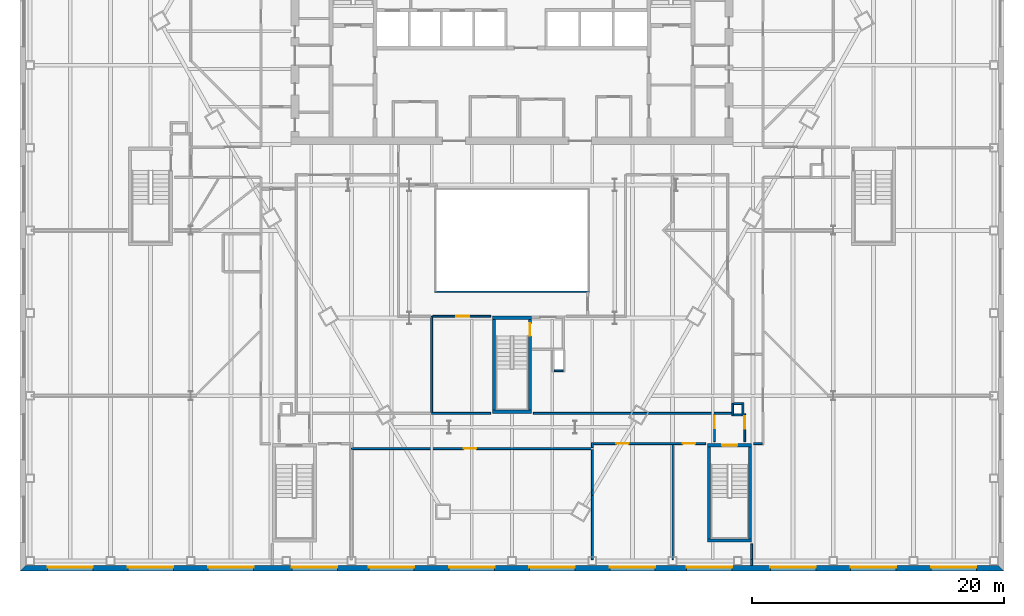
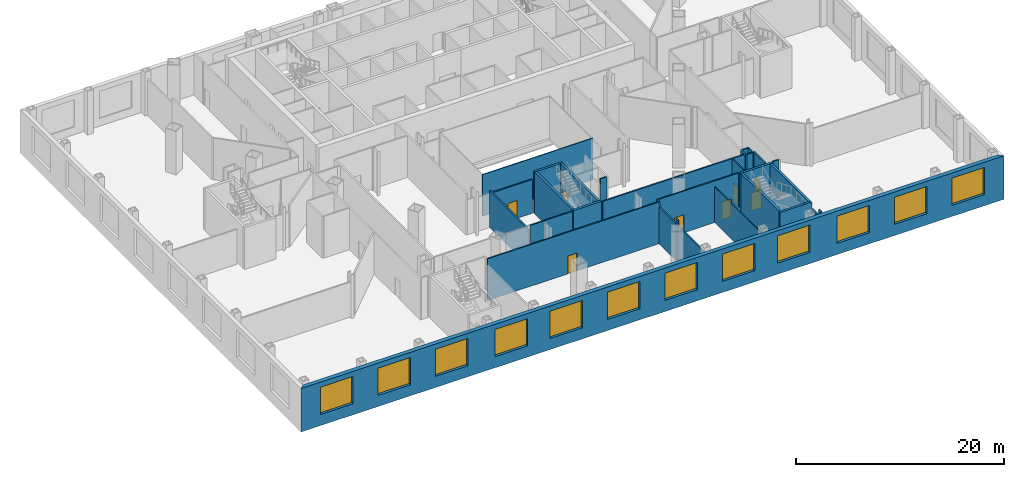
# One storey, part 10 of 21: 31 walls, 12 windows, 8 doors, 20 openings.
"""IFC4 building model written with IfcOpenShell, lengths in metres."""

from ifc_helpers import new_model, si_unit, direction, frame, frame_2d, origin, place, context, subcontext, project, spatial, polyline, rectangle, outline, extrude, material, layer, layer_set, type_object, element, fill, save


model = new_model("IFC4")

# Units and contexts
model_context = context("Model", 3, precision=1e-05, world=origin(), true_north=direction((0.0, 1.0)))
body_context = subcontext(model_context, "Body", "Model", "MODEL_VIEW")
ifc_project = project(units=[si_unit("LENGTHUNIT", "METRE"), si_unit("AREAUNIT", "SQUARE_METRE"), si_unit("VOLUMEUNIT", "CUBIC_METRE"), si_unit("PLANEANGLEUNIT", "RADIAN"), si_unit("MASSUNIT", "GRAM", prefix="KILO")], contexts=[model_context])

# Site, building, storey
site_placement = place(None, origin())
site = spatial("IfcSite", under=ifc_project, at=site_placement, CompositionType="ELEMENT")
building_placement = place(site_placement, origin())
building = spatial("IfcBuilding", under=site, at=building_placement, Name="Njiva Tower", CompositionType="ELEMENT")
storey_placement = place(building_placement, frame((0.0, 0.0, 13.5)))
storey = spatial("IfcBuildingStorey", under=building, at=storey_placement, Name="L02", CompositionType="ELEMENT", Elevation=13.5)

# Wall
ifc_material_1 = material(Name="Gypsum board on steel studs", Category="gypsum")
ifc_layer_1 = layer(ifc_material_1, 0.1)
ifc_layer_set_1 = layer_set([ifc_layer_1], Name="Gypsum board on steel studs")
wall_type_1 = type_object("IfcWallType", Name="WT20 Gypsum partition 100", PredefinedType="PARTITIONING", material=ifc_layer_set_1)
wall_1_placement = place(storey_placement, frame((12.733, -32.9, 0.0), z_axis=(0.0, 0.0, 1.0), x_axis=(0.0, 1.0, 0.0)))
element("IfcWall", 1, at=wall_1_placement, inside=storey, type_object=wall_type_1, Name="Partition L02-P068", PredefinedType="PARTITIONING", context=body_context, shape_type="SweptSolid", body=[
    extrude(rectangle(XDim=9.125, YDim=0.1, at=frame_2d((4.5625, 0.0))), origin(), (0.0, 0.0, 1.0), 4.19),
])

# Wall, opening, door
ifc_layer_2 = layer(ifc_material_1, 0.15)
ifc_layer_set_2 = layer_set([ifc_layer_2], Name="Gypsum board on steel studs")
wall_type_2 = type_object("IfcWallType", Name="WT21 Compartment wall 150", PredefinedType="PARTITIONING", material=ifc_layer_set_2)
wall_2_placement = place(storey_placement, frame((-12.733, -24.1, 0.0), z_axis=(0.0, 0.0, 1.0), x_axis=(1.0, 0.0, 0.0)))
wall_2 = element("IfcWall", 2, at=wall_2_placement, inside=storey, type_object=wall_type_2, Name="Partition L02-P044", PredefinedType="PARTITIONING", context=body_context, shape_type="SweptSolid", body=[
    extrude(rectangle(XDim=19.1, YDim=0.15, at=frame_2d((9.55, 0.0))), origin(), (0.0, 0.0, 1.0), 4.88),
])
opening_1_placement = place(wall_2_placement, frame((8.907, 0.0, 0.0)))
opening_1 = element("IfcOpeningElement", 3, at=opening_1_placement, cuts=wall_2, Name="Opening L02-D016", PredefinedType="OPENING", context=body_context, shape_type="SweptSolid", body=[
    extrude(rectangle(XDim=1.0, YDim=2.1, at=frame_2d((0.5, 1.05))), frame((0.0, 0.085, 0.0), z_axis=(0.0, -1.0, 0.0), x_axis=(1.0, 0.0, 0.0)), (0.0, 0.0, 1.0), 0.17),
])
ifc_material_2 = material(Name="Steel fire door set", Category="steel")
door_type_1 = type_object("IfcDoorType", Name="D37 Fire door 1000x2100", OperationType="SINGLE_SWING_LEFT", PredefinedType="DOOR", material=ifc_material_2)
door_1_placement = place(opening_1_placement, origin())
door_1 = element("IfcDoor", 4, at=door_1_placement, inside=storey, type_object=door_type_1, Name="Door L02-D016", OperationType="SINGLE_SWING_LEFT", OverallHeight=2.1, OverallWidth=1.0, PredefinedType="DOOR", context=body_context, shape_type="SweptSolid", body=[
    extrude(rectangle(XDim=1.0, YDim=2.1, at=frame_2d((0.5, 1.05))), frame((0.0, 0.025, 0.0), z_axis=(0.0, -1.0, 0.0), x_axis=(1.0, 0.0, 0.0)), (0.0, 0.0, 1.0), 0.05),
])
fill(opening_1, door_1)

# Walls
wall_3_placement = place(storey_placement, frame((-6.367, -21.3, 0.0), z_axis=(0.0, 0.0, 1.0), x_axis=(1.0, 0.0, 0.0)))
element("IfcWall", 5, at=wall_3_placement, inside=storey, type_object=wall_type_2, Name="Partition L02-P050", PredefinedType="PARTITIONING", context=body_context, shape_type="SweptSolid", body=[
    extrude(rectangle(XDim=4.667, YDim=0.15, at=frame_2d((2.3335, 0.0))), origin(), (0.0, 0.0, 1.0), 4.88),
])
wall_4_placement = place(storey_placement, frame((-6.367, -21.225, 0.0), z_axis=(0.0, 0.0, 1.0), x_axis=(0.0, 1.0, 0.0)))
element("IfcWall", 6, at=wall_4_placement, inside=storey, type_object=wall_type_2, Name="Partition L02-P051", PredefinedType="PARTITIONING", context=body_context, shape_type="SweptSolid", body=[
    extrude(rectangle(XDim=7.621, YDim=0.15, at=frame_2d((3.8105, 0.0))), origin(), (0.0, 0.0, 1.0), 4.28),
])

# Wall, opening, door
wall_5_placement = place(storey_placement, frame((-6.292, -13.6, 0.0), z_axis=(0.0, 0.0, 1.0), x_axis=(1.0, 0.0, 0.0)))
wall_5 = element("IfcWall", 7, at=wall_5_placement, inside=storey, type_object=wall_type_2, Name="Partition L02-P052", PredefinedType="PARTITIONING", context=body_context, shape_type="SweptSolid", body=[
    extrude(rectangle(XDim=4.592, YDim=0.15, at=frame_2d((2.296, 0.0))), origin(), (0.0, 0.0, 1.0), 3.97),
])
opening_2_placement = place(wall_5_placement, frame((1.886, 0.0, 0.0)))
opening_2 = element("IfcOpeningElement", 8, at=opening_2_placement, cuts=wall_5, Name="Opening L02-D019", PredefinedType="OPENING", context=body_context, shape_type="SweptSolid", body=[
    extrude(rectangle(XDim=1.0, YDim=2.1, at=frame_2d((0.5, 1.05))), frame((0.0, 0.085, 0.0), z_axis=(0.0, -1.0, 0.0), x_axis=(1.0, 0.0, 0.0)), (0.0, 0.0, 1.0), 0.17),
])
door_2_placement = place(opening_2_placement, origin())
door_2 = element("IfcDoor", 9, at=door_2_placement, inside=storey, type_object=door_type_1, Name="Door L02-D019", OperationType="SINGLE_SWING_RIGHT", OverallHeight=2.1, OverallWidth=1.0, PredefinedType="DOOR", context=body_context, shape_type="SweptSolid", body=[
    extrude(rectangle(XDim=1.0, YDim=2.1, at=frame_2d((0.5, 1.05))), frame((0.0, 0.025, 0.0), z_axis=(0.0, -1.0, 0.0), x_axis=(1.0, 0.0, 0.0)), (0.0, 0.0, 1.0), 0.05),
])
fill(opening_2, door_2)

# Walls
wall_6_placement = place(storey_placement, frame((1.7, -21.3, 0.0), z_axis=(0.0, 0.0, 1.0), x_axis=(1.0, 0.0, 0.0)))
element("IfcWall", 10, at=wall_6_placement, inside=storey, type_object=wall_type_2, Name="Partition L02-P055", PredefinedType="PARTITIONING", context=body_context, shape_type="SweptSolid", body=[
    extrude(rectangle(XDim=15.725, YDim=0.15, at=frame_2d((7.8625, 0.0))), origin(), (0.0, 0.0, 1.0), 4.88),
])
wall_7_placement = place(storey_placement, frame((6.366, -32.9, 0.0), z_axis=(0.0, 0.0, 1.0), x_axis=(0.000117096018, 0.999999993144, 0.0)))
element("IfcWall", 11, at=wall_7_placement, inside=storey, type_object=wall_type_2, Name="Partition L02-P058", PredefinedType="PARTITIONING", context=body_context, shape_type="SweptSolid", body=[
    extrude(rectangle(XDim=5.124, YDim=0.15, at=frame_2d((2.562, 0.0))), origin(), (0.0, 0.0, 1.0), 4.28),
])
wall_8_placement = place(storey_placement, frame((6.3666, -27.776, 0.0), z_axis=(0.0, 0.0, 1.0), x_axis=(0.0, 1.0, 0.0)))
element("IfcWall", 12, at=wall_8_placement, inside=storey, type_object=wall_type_2, Name="Partition L02-P058A", PredefinedType="PARTITIONING", context=body_context, shape_type="SweptSolid", body=[
    extrude(rectangle(XDim=0.39, YDim=0.15, at=frame_2d((0.195, 0.0))), origin(), (0.0, 0.0, 1.0), 4.88),
])
wall_9_placement = place(storey_placement, frame((6.3666, -27.386, 0.0), z_axis=(0.0, 0.0, 1.0), x_axis=(0.000124571784, 0.999999992241, 0.0)))
element("IfcWall", 13, at=wall_9_placement, inside=storey, type_object=wall_type_2, Name="Partition L02-P058B", PredefinedType="PARTITIONING", context=body_context, shape_type="SweptSolid", body=[
    extrude(rectangle(XDim=3.211, YDim=0.15, at=frame_2d((1.6055, 0.0))), origin(), (0.0, 0.0, 1.0), 4.28),
])
wall_10_placement = place(storey_placement, frame((6.367, -24.025, 0.0), z_axis=(0.0, 0.0, 1.0), x_axis=(0.0, 1.0, 0.0)))
element("IfcWall", 14, at=wall_10_placement, inside=storey, type_object=wall_type_2, Name="Partition L02-P059", PredefinedType="PARTITIONING", context=body_context, shape_type="SweptSolid", body=[
    extrude(rectangle(XDim=0.4, YDim=0.15, at=frame_2d((0.2, 0.0))), origin(), (0.0, 0.0, 1.0), 4.88),
])

# Wall, openings, doors
wall_11_placement = place(storey_placement, frame((6.442, -23.7, 0.0), z_axis=(0.0, 0.0, 1.0), x_axis=(1.0, 0.0, 0.0)))
wall_11 = element("IfcWall", 15, at=wall_11_placement, inside=storey, type_object=wall_type_2, Name="Partition L02-P060", PredefinedType="PARTITIONING", context=body_context, shape_type="SweptSolid", body=[
    extrude(rectangle(XDim=8.908, YDim=0.15, at=frame_2d((4.454, 0.0))), origin(), (0.0, 0.0, 1.0), 4.88),
])
opening_3_placement = place(wall_11_placement, frame((1.814, 0.0, 0.0)))
opening_3 = element("IfcOpeningElement", 16, at=opening_3_placement, cuts=wall_11, Name="Opening L02-D021", PredefinedType="OPENING", context=body_context, shape_type="SweptSolid", body=[
    extrude(rectangle(XDim=1.0, YDim=2.1, at=frame_2d((0.5, 1.05))), frame((0.0, 0.085, 0.0), z_axis=(0.0, -1.0, 0.0), x_axis=(1.0, 0.0, 0.0)), (0.0, 0.0, 1.0), 0.17),
])
opening_4_placement = place(wall_11_placement, frame((7.099, 0.0, 0.0)))
opening_4 = element("IfcOpeningElement", 17, at=opening_4_placement, cuts=wall_11, Name="Opening L02-D022", PredefinedType="OPENING", context=body_context, shape_type="SweptSolid", body=[
    extrude(rectangle(XDim=1.0, YDim=2.1, at=frame_2d((0.5, 1.05))), frame((0.0, 0.085, 0.0), z_axis=(0.0, -1.0, 0.0), x_axis=(1.0, 0.0, 0.0)), (0.0, 0.0, 1.0), 0.17),
])
door_3_placement = place(opening_3_placement, origin())
door_3 = element("IfcDoor", 18, at=door_3_placement, inside=storey, type_object=door_type_1, Name="Door L02-D021", OperationType="SINGLE_SWING_LEFT", OverallHeight=2.1, OverallWidth=1.0, PredefinedType="DOOR", context=body_context, shape_type="SweptSolid", body=[
    extrude(rectangle(XDim=1.0, YDim=2.1, at=frame_2d((0.5, 1.05))), frame((0.0, 0.025, 0.0), z_axis=(0.0, -1.0, 0.0), x_axis=(1.0, 0.0, 0.0)), (0.0, 0.0, 1.0), 0.05),
])
fill(opening_3, door_3)
door_4_placement = place(opening_4_placement, origin())
door_4 = element("IfcDoor", 19, at=door_4_placement, inside=storey, type_object=door_type_1, Name="Door L02-D022", OperationType="SINGLE_SWING_RIGHT", OverallHeight=2.1, OverallWidth=1.0, PredefinedType="DOOR", context=body_context, shape_type="SweptSolid", body=[
    extrude(rectangle(XDim=1.0, YDim=2.1, at=frame_2d((0.5, 1.05))), frame((0.0, 0.025, 0.0), z_axis=(0.0, -1.0, 0.0), x_axis=(1.0, 0.0, 0.0)), (0.0, 0.0, 1.0), 0.05),
])
fill(opening_4, door_4)

# Wall, opening, door
wall_12_placement = place(storey_placement, frame((16.05, -23.55, 0.0), z_axis=(0.0, 0.0, 1.0), x_axis=(0.0, 1.0, 0.0)))
wall_12 = element("IfcWall", 20, at=wall_12_placement, inside=storey, type_object=wall_type_2, Name="Partition L02-P069", PredefinedType="PARTITIONING", context=body_context, shape_type="SweptSolid", body=[
    extrude(rectangle(XDim=2.175, YDim=0.15, at=frame_2d((1.0875, 0.0))), origin(), (0.0, 0.0, 1.0), 4.88),
])
opening_5_placement = place(wall_12_placement, frame((1.075, 0.0, 0.0)))
opening_5 = element("IfcOpeningElement", 21, at=opening_5_placement, cuts=wall_12, Name="Opening L02-D025", PredefinedType="OPENING", context=body_context, shape_type="SweptSolid", body=[
    extrude(rectangle(XDim=1.0, YDim=2.1, at=frame_2d((0.5, 1.05))), frame((0.0, 0.085, 0.0), z_axis=(0.0, -1.0, 0.0), x_axis=(1.0, 0.0, 0.0)), (0.0, 0.0, 1.0), 0.17),
])
ifc_material_3 = material(Name="Glazed steel fire door", Category="steel")
door_type_2 = type_object("IfcDoorType", Name="D41 Glazed fire door 1000x2100", OperationType="SINGLE_SWING_LEFT", PredefinedType="DOOR", material=ifc_material_3)
door_5_placement = place(opening_5_placement, origin())
door_5 = element("IfcDoor", 22, at=door_5_placement, inside=storey, type_object=door_type_2, Name="Door L02-D025", OperationType="SINGLE_SWING_RIGHT", OverallHeight=2.1, OverallWidth=1.0, PredefinedType="DOOR", context=body_context, shape_type="SweptSolid", body=[
    extrude(rectangle(XDim=1.0, YDim=2.1, at=frame_2d((0.5, 1.05))), frame((0.0, 0.025, 0.0), z_axis=(0.0, -1.0, 0.0), x_axis=(1.0, 0.0, 0.0)), (0.0, 0.0, 1.0), 0.05),
])
fill(opening_5, door_5)

wall_13_placement = place(storey_placement, frame((18.45, -23.55, 0.0), z_axis=(0.0, 0.0, 1.0), x_axis=(0.0, 1.0, 0.0)))
wall_13 = element("IfcWall", 23, at=wall_13_placement, inside=storey, type_object=wall_type_2, Name="Partition L02-P079", PredefinedType="PARTITIONING", context=body_context, shape_type="SweptSolid", body=[
    extrude(rectangle(XDim=2.2, YDim=0.15, at=frame_2d((1.1, 0.0))), origin(), (0.0, 0.0, 1.0), 4.88),
])
opening_6_placement = place(wall_13_placement, frame((1.013, 0.0, 0.0)))
opening_6 = element("IfcOpeningElement", 24, at=opening_6_placement, cuts=wall_13, Name="Opening L02-D028", PredefinedType="OPENING", context=body_context, shape_type="SweptSolid", body=[
    extrude(rectangle(XDim=1.0, YDim=2.1, at=frame_2d((0.5, 1.05))), frame((0.0, 0.085, 0.0), z_axis=(0.0, -1.0, 0.0), x_axis=(1.0, 0.0, 0.0)), (0.0, 0.0, 1.0), 0.17),
])
door_6_placement = place(opening_6_placement, origin())
door_6 = element("IfcDoor", 25, at=door_6_placement, inside=storey, type_object=door_type_2, Name="Door L02-D028", OperationType="SINGLE_SWING_LEFT", OverallHeight=2.1, OverallWidth=1.0, PredefinedType="DOOR", context=body_context, shape_type="SweptSolid", body=[
    extrude(rectangle(XDim=1.0, YDim=2.1, at=frame_2d((0.5, 1.05))), frame((0.0, 0.025, 0.0), z_axis=(0.0, -1.0, 0.0), x_axis=(1.0, 0.0, 0.0)), (0.0, 0.0, 1.0), 0.05),
])
fill(opening_6, door_6)

# Walls
wall_14_placement = place(storey_placement, frame((19.0, -33.348, 0.0), z_axis=(0.0, 0.0, 1.0), x_axis=(0.0, 1.0, 0.0)))
element("IfcWall", 26, at=wall_14_placement, inside=storey, type_object=wall_type_2, Name="Partition L02-P080", PredefinedType="PARTITIONING", context=body_context, shape_type="SweptSolid", body=[
    extrude(rectangle(XDim=0.448, YDim=0.15, at=frame_2d((0.224, 0.0))), origin(), (0.0, 0.0, 1.0), 4.88),
])
wall_15_placement = place(storey_placement, frame((19.0, -32.9, 0.0), z_axis=(0.0, 0.0, 1.0), x_axis=(0.0, 1.0, 0.0)))
element("IfcWall", 27, at=wall_15_placement, inside=storey, type_object=wall_type_2, Name="Partition L02-P080A", PredefinedType="PARTITIONING", context=body_context, shape_type="SweptSolid", body=[
    extrude(rectangle(XDim=1.25, YDim=0.15, at=frame_2d((0.625, 0.0))), origin(), (0.0, 0.0, 1.0), 4.19),
])
wall_16_placement = place(storey_placement, frame((19.15, -23.7, 0.0), z_axis=(0.0, 0.0, 1.0), x_axis=(1.0, 0.0, 0.0)))
element("IfcWall", 28, at=wall_16_placement, inside=storey, type_object=wall_type_2, Name="Partition L02-P081", PredefinedType="PARTITIONING", context=body_context, shape_type="SweptSolid", body=[
    extrude(rectangle(XDim=0.675, YDim=0.15, at=frame_2d((0.3375, 0.0))), origin(), (0.0, 0.0, 1.0), 4.88),
])
ifc_layer_3 = layer(ifc_material_1, 0.15)
ifc_layer_set_3 = layer_set([ifc_layer_3], Name="Gypsum board on steel studs")
wall_type_3 = type_object("IfcWallType", Name="WT24 Riser room wall 150", PredefinedType="PARTITIONING", material=ifc_layer_set_3)
wall_17_placement = place(storey_placement, frame((17.5, -21.5, 0.0), z_axis=(0.0, 0.0, 1.0), x_axis=(0.0, 1.0, 0.0)))
element("IfcWall", 29, at=wall_17_placement, inside=storey, type_object=wall_type_3, Name="Partition L02-P072", PredefinedType="PARTITIONING", context=body_context, shape_type="SweptSolid", body=[
    extrude(rectangle(XDim=0.987, YDim=0.15, at=frame_2d((0.4935, 0.0))), origin(), (0.0, 0.0, 1.0), 4.88),
])
for number, where, z_axis, x_axis, name in (
    (30, (17.575, -21.425, 0.0), (0.0, 0.0, 1.0), (1.0, 0.0, 0.0), "Partition L02-P075"),
    (31, (17.575, -20.525, 0.0), (0.0, 0.0, 1.0), (1.0, 0.0, 0.0), "Partition L02-P076"),
):
    element("IfcWall", number, at=place(storey_placement, frame(where, z_axis=z_axis, x_axis=x_axis)), inside=storey, type_object=wall_type_3, Name=name, PredefinedType="PARTITIONING", context=body_context, shape_type="SweptSolid", body=[
        extrude(rectangle(XDim=0.65, YDim=0.15, at=frame_2d((0.325, 0.0))), origin(), (0.0, 0.0, 1.0), 4.88),
    ])
wall_18_placement = place(storey_placement, frame((18.3, -21.5, 0.0), z_axis=(0.0, 0.0, 1.0), x_axis=(0.0, 1.0, 0.0)))
element("IfcWall", 32, at=wall_18_placement, inside=storey, type_object=wall_type_3, Name="Partition L02-P078", PredefinedType="PARTITIONING", context=body_context, shape_type="SweptSolid", body=[
    extrude(rectangle(XDim=1.05, YDim=0.15, at=frame_2d((0.525, 0.0))), origin(), (0.0, 0.0, 1.0), 4.88),
])
ifc_material_4 = material(Name="Blockwork", Category="masonry")
ifc_layer_4 = layer(ifc_material_4, 0.15)
ifc_layer_set_4 = layer_set([ifc_layer_4], Name="Blockwork")
wall_type_4 = type_object("IfcWallType", Name="WT4 Stair partition 150", PredefinedType="PARTITIONING", material=ifc_layer_set_4)
wall_19_placement = place(storey_placement, frame((3.35, -17.925, 0.0), z_axis=(0.0, 0.0, 1.0), x_axis=(1.0, 0.0, 0.0)))
element("IfcWall", 33, at=wall_19_placement, inside=storey, type_object=wall_type_4, Name="Stair C pressurisation shaft wall", PredefinedType="PARTITIONING", context=body_context, shape_type="SweptSolid", body=[
    extrude(rectangle(XDim=0.7, YDim=0.15, at=frame_2d((0.35, 0.0))), origin(), (0.0, 0.0, 1.0), 4.88),
])
ifc_material_5 = material(Name="Concrete C40/50", Category="concrete")
ifc_layer_5 = layer(ifc_material_5, 0.25)
ifc_layer_set_5 = layer_set([ifc_layer_5], Name="Concrete C40/50")
wall_type_5 = type_object("IfcWallType", Name="WT9 Stair enclosure wall 250", PredefinedType="SHEAR", material=ifc_layer_set_5)
wall_20_placement = place(storey_placement, frame((-1.425, -21.05, 0.0), z_axis=(0.0, 0.0, 1.0), x_axis=(0.0, 1.0, 0.0)))
element("IfcWall", 34, at=wall_20_placement, inside=storey, type_object=wall_type_5, Name="Stair C wall west", PredefinedType="SHEAR", context=body_context, shape_type="SweptSolid", body=[
    extrude(rectangle(XDim=7.2, YDim=0.25, at=frame_2d((3.6, 0.0))), origin(), (0.0, 0.0, 1.0), 4.88),
])

# Wall, opening, door
wall_21_placement = place(storey_placement, frame((1.425, -21.05, 0.0), z_axis=(0.0, 0.0, 1.0), x_axis=(0.0, 1.0, 0.0)))
wall_21 = element("IfcWall", 35, at=wall_21_placement, inside=storey, type_object=wall_type_5, Name="Stair C wall east", PredefinedType="SHEAR", context=body_context, shape_type="SweptSolid", body=[
    extrude(rectangle(XDim=7.2, YDim=0.25, at=frame_2d((3.6, 0.0))), origin(), (0.0, 0.0, 1.0), 4.88),
])
opening_7_placement = place(wall_21_placement, frame((5.89, 0.0, 0.0)))
opening_7 = element("IfcOpeningElement", 36, at=opening_7_placement, cuts=wall_21, Name="Opening L02-D939", PredefinedType="OPENING", context=body_context, shape_type="SweptSolid", body=[
    extrude(rectangle(XDim=1.0, YDim=2.1, at=frame_2d((0.5, 1.05))), frame((0.0, 0.135, 0.0), z_axis=(0.0, -1.0, 0.0), x_axis=(1.0, 0.0, 0.0)), (0.0, 0.0, 1.0), 0.27),
])
door_type_3 = type_object("IfcDoorType", Name="D9 Stair vestibule door 1000x2100 glazed", OperationType="SINGLE_SWING_LEFT", PredefinedType="DOOR", material=ifc_material_3)
door_7_placement = place(opening_7_placement, origin())
door_7 = element("IfcDoor", 37, at=door_7_placement, inside=storey, type_object=door_type_3, Name="Stair C door", OperationType="SINGLE_SWING_LEFT", OverallHeight=2.1, OverallWidth=1.0, PredefinedType="DOOR", context=body_context, shape_type="SweptSolid", body=[
    extrude(rectangle(XDim=1.0, YDim=2.1, at=frame_2d((0.5, 1.05))), frame((0.0, 0.025, 0.0), z_axis=(0.0, -1.0, 0.0), x_axis=(1.0, 0.0, 0.0)), (0.0, 0.0, 1.0), 0.05),
])
fill(opening_7, door_7)

# Walls
for number, where, z_axis, x_axis, name in (
    (38, (-1.55, -21.175, 0.0), (0.0, 0.0, 1.0), (1.0, 0.0, 0.0), "Stair C wall south"),
    (39, (-1.55, -13.725, 0.0), (0.0, 0.0, 1.0), (1.0, 0.0, 0.0), "Stair C wall north"),
):
    element("IfcWall", number, at=place(storey_placement, frame(where, z_axis=z_axis, x_axis=x_axis)), inside=storey, type_object=wall_type_5, Name=name, PredefinedType="SHEAR", context=body_context, shape_type="SweptSolid", body=[
        extrude(rectangle(XDim=3.1, YDim=0.25, at=frame_2d((1.55, 0.0))), origin(), (0.0, 0.0, 1.0), 4.88),
    ])
for number, where, z_axis, x_axis, name in (
    (40, (15.625, -31.25, 0.0), (0.0, 0.0, 1.0), (0.0, 1.0, 0.0), "Stair E wall west"),
    (41, (18.875, -31.25, 0.0), (0.0, 0.0, 1.0), (0.0, 1.0, 0.0), "Stair E wall east"),
):
    element("IfcWall", number, at=place(storey_placement, frame(where, z_axis=z_axis, x_axis=x_axis)), inside=storey, type_object=wall_type_5, Name=name, PredefinedType="SHEAR", context=body_context, shape_type="SweptSolid", body=[
        extrude(rectangle(XDim=7.3, YDim=0.25, at=frame_2d((3.65, 0.0))), origin(), (0.0, 0.0, 1.0), 4.88),
    ])
wall_22_placement = place(storey_placement, frame((15.5, -31.375, 0.0), z_axis=(0.0, 0.0, 1.0), x_axis=(1.0, 0.0, 0.0)))
element("IfcWall", 42, at=wall_22_placement, inside=storey, type_object=wall_type_5, Name="Stair E wall south", PredefinedType="SHEAR", context=body_context, shape_type="SweptSolid", body=[
    extrude(rectangle(XDim=3.5, YDim=0.25, at=frame_2d((1.75, 0.0))), origin(), (0.0, 0.0, 1.0), 4.88),
])

# Wall, opening, door
wall_23_placement = place(storey_placement, frame((15.5, -23.825, 0.0), z_axis=(0.0, 0.0, 1.0), x_axis=(1.0, 0.0, 0.0)))
wall_23 = element("IfcWall", 43, at=wall_23_placement, inside=storey, type_object=wall_type_5, Name="Stair E wall north", PredefinedType="SHEAR", context=body_context, shape_type="SweptSolid", body=[
    extrude(rectangle(XDim=3.5, YDim=0.25, at=frame_2d((1.75, 0.0))), origin(), (0.0, 0.0, 1.0), 4.88),
])
opening_8_placement = place(wall_23_placement, frame((1.15, 0.0, 0.0)))
opening_8 = element("IfcOpeningElement", 44, at=opening_8_placement, cuts=wall_23, Name="Opening L02-D942", PredefinedType="OPENING", context=body_context, shape_type="SweptSolid", body=[
    extrude(rectangle(XDim=1.2, YDim=2.1, at=frame_2d((0.6, 1.05))), frame((0.0, 0.135, 0.0), z_axis=(0.0, -1.0, 0.0), x_axis=(1.0, 0.0, 0.0)), (0.0, 0.0, 1.0), 0.27),
])
ifc_material_6 = material(Name="Steel door, painted", Category="steel")
door_type_4 = type_object("IfcDoorType", Name="D1 Stair door 1200x2100", OperationType="SINGLE_SWING_LEFT", PredefinedType="DOOR", material=ifc_material_6)
door_8_placement = place(opening_8_placement, origin())
door_8 = element("IfcDoor", 45, at=door_8_placement, inside=storey, type_object=door_type_4, Name="Stair E door", OperationType="SINGLE_SWING_LEFT", OverallHeight=2.1, OverallWidth=1.2, PredefinedType="DOOR", context=body_context, shape_type="SweptSolid", body=[
    extrude(rectangle(XDim=1.2, YDim=2.1, at=frame_2d((0.6, 1.05))), frame((0.0, 0.025, 0.0), z_axis=(0.0, -1.0, 0.0), x_axis=(1.0, 0.0, 0.0)), (0.0, 0.0, 1.0), 0.05),
])
fill(opening_8, door_8)

# Wall, openings, windows
ifc_material_7 = material(Name="Brick masonry", Category="masonry")
ifc_layer_6 = layer(ifc_material_7, 0.45)
ifc_layer_set_6 = layer_set([ifc_layer_6], Name="Brick masonry")
wall_type_6 = type_object("IfcWallType", Name="WT90 Brick pier and spandrel wall 450", PredefinedType="SOLIDWALL", material=ifc_layer_set_6)
wall_24_placement = place(storey_placement, frame((-38.775, -33.575, -0.4), z_axis=(0.0, 0.0, 1.0), x_axis=(1.0, 0.0, 0.0)))
wall_24 = element("IfcWall", 46, at=wall_24_placement, inside=storey, type_object=wall_type_6, Name="Podium wall S", PredefinedType="SOLIDWALL", context=body_context, shape_type="SweptSolid", body=[
    extrude(outline(polyline([(-0.225, -0.225), (77.775, -0.225), (77.325, 0.225), (0.225, 0.225), (-0.225, -0.225)])), origin(), (0.0, 0.0, 1.0), 5.1),
])
opening_9_placement = place(wall_24_placement, frame((1.9584, 0.0, 1.3)))
opening_9 = element("IfcOpeningElement", 47, at=opening_9_placement, cuts=wall_24, Name="Opening L02-W25", PredefinedType="OPENING", context=body_context, shape_type="SweptSolid", body=[
    extrude(rectangle(XDim=3.6, YDim=3.2, at=frame_2d((1.8, 1.6))), frame((0.0, 0.235, 0.0), z_axis=(0.0, -1.0, 0.0), x_axis=(1.0, 0.0, 0.0)), (0.0, 0.0, 1.0), 0.47),
])
opening_10_placement = place(wall_24_placement, frame((8.325, 0.0, 1.3)))
opening_10 = element("IfcOpeningElement", 48, at=opening_10_placement, cuts=wall_24, Name="Opening L02-W26", PredefinedType="OPENING", context=body_context, shape_type="SweptSolid", body=[
    extrude(rectangle(XDim=3.6, YDim=3.2, at=frame_2d((1.8, 1.6))), frame((0.0, 0.235, 0.0), z_axis=(0.0, -1.0, 0.0), x_axis=(1.0, 0.0, 0.0)), (0.0, 0.0, 1.0), 0.47),
])
opening_11_placement = place(wall_24_placement, frame((14.6916, 0.0, 1.3)))
opening_11 = element("IfcOpeningElement", 49, at=opening_11_placement, cuts=wall_24, Name="Opening L02-W27", PredefinedType="OPENING", context=body_context, shape_type="SweptSolid", body=[
    extrude(rectangle(XDim=3.6, YDim=3.2, at=frame_2d((1.8, 1.6))), frame((0.0, 0.235, 0.0), z_axis=(0.0, -1.0, 0.0), x_axis=(1.0, 0.0, 0.0)), (0.0, 0.0, 1.0), 0.47),
])
opening_12_placement = place(wall_24_placement, frame((21.325, 0.0, 1.3)))
opening_12 = element("IfcOpeningElement", 50, at=opening_12_placement, cuts=wall_24, Name="Opening L02-W28", PredefinedType="OPENING", context=body_context, shape_type="SweptSolid", body=[
    extrude(rectangle(XDim=3.6, YDim=3.2, at=frame_2d((1.8, 1.6))), frame((0.0, 0.235, 0.0), z_axis=(0.0, -1.0, 0.0), x_axis=(1.0, 0.0, 0.0)), (0.0, 0.0, 1.0), 0.47),
])
opening_13_placement = place(wall_24_placement, frame((27.425, 0.0, 1.3)))
opening_13 = element("IfcOpeningElement", 51, at=opening_13_placement, cuts=wall_24, Name="Opening L02-W29", PredefinedType="OPENING", context=body_context, shape_type="SweptSolid", body=[
    extrude(rectangle(XDim=3.6, YDim=3.2, at=frame_2d((1.8, 1.6))), frame((0.0, 0.235, 0.0), z_axis=(0.0, -1.0, 0.0), x_axis=(1.0, 0.0, 0.0)), (0.0, 0.0, 1.0), 0.47),
])
opening_14_placement = place(wall_24_placement, frame((33.7916, 0.0, 1.3)))
opening_14 = element("IfcOpeningElement", 52, at=opening_14_placement, cuts=wall_24, Name="Opening L02-W30", PredefinedType="OPENING", context=body_context, shape_type="SweptSolid", body=[
    extrude(rectangle(XDim=3.6, YDim=3.2, at=frame_2d((1.8, 1.6))), frame((0.0, 0.235, 0.0), z_axis=(0.0, -1.0, 0.0), x_axis=(1.0, 0.0, 0.0)), (0.0, 0.0, 1.0), 0.47),
])
opening_15_placement = place(wall_24_placement, frame((40.1584, 0.0, 1.3)))
opening_15 = element("IfcOpeningElement", 53, at=opening_15_placement, cuts=wall_24, Name="Opening L02-W31", PredefinedType="OPENING", context=body_context, shape_type="SweptSolid", body=[
    extrude(rectangle(XDim=3.6, YDim=3.2, at=frame_2d((1.8, 1.6))), frame((0.0, 0.235, 0.0), z_axis=(0.0, -1.0, 0.0), x_axis=(1.0, 0.0, 0.0)), (0.0, 0.0, 1.0), 0.47),
])
opening_16_placement = place(wall_24_placement, frame((46.525, 0.0, 1.3)))
opening_16 = element("IfcOpeningElement", 54, at=opening_16_placement, cuts=wall_24, Name="Opening L02-W32", PredefinedType="OPENING", context=body_context, shape_type="SweptSolid", body=[
    extrude(rectangle(XDim=3.6, YDim=3.2, at=frame_2d((1.8, 1.6))), frame((0.0, 0.235, 0.0), z_axis=(0.0, -1.0, 0.0), x_axis=(1.0, 0.0, 0.0)), (0.0, 0.0, 1.0), 0.47),
])
opening_17_placement = place(wall_24_placement, frame((52.625, 0.0, 1.3)))
opening_17 = element("IfcOpeningElement", 55, at=opening_17_placement, cuts=wall_24, Name="Opening L02-W33", PredefinedType="OPENING", context=body_context, shape_type="SweptSolid", body=[
    extrude(rectangle(XDim=3.6, YDim=3.2, at=frame_2d((1.8, 1.6))), frame((0.0, 0.235, 0.0), z_axis=(0.0, -1.0, 0.0), x_axis=(1.0, 0.0, 0.0)), (0.0, 0.0, 1.0), 0.47),
])
opening_18_placement = place(wall_24_placement, frame((59.2584, 0.0, 1.3)))
opening_18 = element("IfcOpeningElement", 56, at=opening_18_placement, cuts=wall_24, Name="Opening L02-W34", PredefinedType="OPENING", context=body_context, shape_type="SweptSolid", body=[
    extrude(rectangle(XDim=3.6, YDim=3.2, at=frame_2d((1.8, 1.6))), frame((0.0, 0.235, 0.0), z_axis=(0.0, -1.0, 0.0), x_axis=(1.0, 0.0, 0.0)), (0.0, 0.0, 1.0), 0.47),
])
opening_19_placement = place(wall_24_placement, frame((65.625, 0.0, 1.3)))
opening_19 = element("IfcOpeningElement", 57, at=opening_19_placement, cuts=wall_24, Name="Opening L02-W35", PredefinedType="OPENING", context=body_context, shape_type="SweptSolid", body=[
    extrude(rectangle(XDim=3.6, YDim=3.2, at=frame_2d((1.8, 1.6))), frame((0.0, 0.235, 0.0), z_axis=(0.0, -1.0, 0.0), x_axis=(1.0, 0.0, 0.0)), (0.0, 0.0, 1.0), 0.47),
])
opening_20_placement = place(wall_24_placement, frame((71.9917, 0.0, 1.3)))
opening_20 = element("IfcOpeningElement", 58, at=opening_20_placement, cuts=wall_24, Name="Opening L02-W36", PredefinedType="OPENING", context=body_context, shape_type="SweptSolid", body=[
    extrude(rectangle(XDim=3.6, YDim=3.2, at=frame_2d((1.8, 1.6))), frame((0.0, 0.235, 0.0), z_axis=(0.0, -1.0, 0.0), x_axis=(1.0, 0.0, 0.0)), (0.0, 0.0, 1.0), 0.47),
])
ifc_material_8 = material(Name="Clear glazing in aluminium frame", Category="aluminium")
window_type = type_object("IfcWindowType", Name="W98 Deep-set window 3600x3200", PartitioningType="SINGLE_PANEL", PredefinedType="WINDOW", material=ifc_material_8)
window_1_placement = place(opening_9_placement, origin())
window_1 = element("IfcWindow", 59, at=window_1_placement, inside=storey, type_object=window_type, Name="Window", OverallHeight=3.2, OverallWidth=3.6, PartitioningType="SINGLE_PANEL", PredefinedType="WINDOW", context=body_context, shape_type="SweptSolid", body=[
    extrude(rectangle(XDim=3.6, YDim=3.2, at=frame_2d((1.8, 1.6))), frame((0.0, 0.105, 0.0), z_axis=(0.0, -1.0, 0.0), x_axis=(1.0, 0.0, 0.0)), (0.0, 0.0, 1.0), 0.06),
])
fill(opening_9, window_1)
window_2_placement = place(opening_10_placement, origin())
window_2 = element("IfcWindow", 60, at=window_2_placement, inside=storey, type_object=window_type, Name="Window", OverallHeight=3.2, OverallWidth=3.6, PartitioningType="SINGLE_PANEL", PredefinedType="WINDOW", context=body_context, shape_type="SweptSolid", body=[
    extrude(rectangle(XDim=3.6, YDim=3.2, at=frame_2d((1.8, 1.6))), frame((0.0, 0.105, 0.0), z_axis=(0.0, -1.0, 0.0), x_axis=(1.0, 0.0, 0.0)), (0.0, 0.0, 1.0), 0.06),
])
fill(opening_10, window_2)
window_3_placement = place(opening_11_placement, origin())
window_3 = element("IfcWindow", 61, at=window_3_placement, inside=storey, type_object=window_type, Name="Window", OverallHeight=3.2, OverallWidth=3.6, PartitioningType="SINGLE_PANEL", PredefinedType="WINDOW", context=body_context, shape_type="SweptSolid", body=[
    extrude(rectangle(XDim=3.6, YDim=3.2, at=frame_2d((1.8, 1.6))), frame((0.0, 0.105, 0.0), z_axis=(0.0, -1.0, 0.0), x_axis=(1.0, 0.0, 0.0)), (0.0, 0.0, 1.0), 0.06),
])
fill(opening_11, window_3)
window_4_placement = place(opening_12_placement, origin())
window_4 = element("IfcWindow", 62, at=window_4_placement, inside=storey, type_object=window_type, Name="Window", OverallHeight=3.2, OverallWidth=3.6, PartitioningType="SINGLE_PANEL", PredefinedType="WINDOW", context=body_context, shape_type="SweptSolid", body=[
    extrude(rectangle(XDim=3.6, YDim=3.2, at=frame_2d((1.8, 1.6))), frame((0.0, 0.105, 0.0), z_axis=(0.0, -1.0, 0.0), x_axis=(1.0, 0.0, 0.0)), (0.0, 0.0, 1.0), 0.06),
])
fill(opening_12, window_4)
window_5_placement = place(opening_13_placement, origin())
window_5 = element("IfcWindow", 63, at=window_5_placement, inside=storey, type_object=window_type, Name="Window", OverallHeight=3.2, OverallWidth=3.6, PartitioningType="SINGLE_PANEL", PredefinedType="WINDOW", context=body_context, shape_type="SweptSolid", body=[
    extrude(rectangle(XDim=3.6, YDim=3.2, at=frame_2d((1.8, 1.6))), frame((0.0, 0.105, 0.0), z_axis=(0.0, -1.0, 0.0), x_axis=(1.0, 0.0, 0.0)), (0.0, 0.0, 1.0), 0.06),
])
fill(opening_13, window_5)
window_6_placement = place(opening_14_placement, origin())
window_6 = element("IfcWindow", 64, at=window_6_placement, inside=storey, type_object=window_type, Name="Window", OverallHeight=3.2, OverallWidth=3.6, PartitioningType="SINGLE_PANEL", PredefinedType="WINDOW", context=body_context, shape_type="SweptSolid", body=[
    extrude(rectangle(XDim=3.6, YDim=3.2, at=frame_2d((1.8, 1.6))), frame((0.0, 0.105, 0.0), z_axis=(0.0, -1.0, 0.0), x_axis=(1.0, 0.0, 0.0)), (0.0, 0.0, 1.0), 0.06),
])
fill(opening_14, window_6)
window_7_placement = place(opening_15_placement, origin())
window_7 = element("IfcWindow", 65, at=window_7_placement, inside=storey, type_object=window_type, Name="Window", OverallHeight=3.2, OverallWidth=3.6, PartitioningType="SINGLE_PANEL", PredefinedType="WINDOW", context=body_context, shape_type="SweptSolid", body=[
    extrude(rectangle(XDim=3.6, YDim=3.2, at=frame_2d((1.8, 1.6))), frame((0.0, 0.105, 0.0), z_axis=(0.0, -1.0, 0.0), x_axis=(1.0, 0.0, 0.0)), (0.0, 0.0, 1.0), 0.06),
])
fill(opening_15, window_7)
window_8_placement = place(opening_16_placement, origin())
window_8 = element("IfcWindow", 66, at=window_8_placement, inside=storey, type_object=window_type, Name="Window", OverallHeight=3.2, OverallWidth=3.6, PartitioningType="SINGLE_PANEL", PredefinedType="WINDOW", context=body_context, shape_type="SweptSolid", body=[
    extrude(rectangle(XDim=3.6, YDim=3.2, at=frame_2d((1.8, 1.6))), frame((0.0, 0.105, 0.0), z_axis=(0.0, -1.0, 0.0), x_axis=(1.0, 0.0, 0.0)), (0.0, 0.0, 1.0), 0.06),
])
fill(opening_16, window_8)
window_9_placement = place(opening_17_placement, origin())
window_9 = element("IfcWindow", 67, at=window_9_placement, inside=storey, type_object=window_type, Name="Window", OverallHeight=3.2, OverallWidth=3.6, PartitioningType="SINGLE_PANEL", PredefinedType="WINDOW", context=body_context, shape_type="SweptSolid", body=[
    extrude(rectangle(XDim=3.6, YDim=3.2, at=frame_2d((1.8, 1.6))), frame((0.0, 0.105, 0.0), z_axis=(0.0, -1.0, 0.0), x_axis=(1.0, 0.0, 0.0)), (0.0, 0.0, 1.0), 0.06),
])
fill(opening_17, window_9)
window_10_placement = place(opening_18_placement, origin())
window_10 = element("IfcWindow", 68, at=window_10_placement, inside=storey, type_object=window_type, Name="Window", OverallHeight=3.2, OverallWidth=3.6, PartitioningType="SINGLE_PANEL", PredefinedType="WINDOW", context=body_context, shape_type="SweptSolid", body=[
    extrude(rectangle(XDim=3.6, YDim=3.2, at=frame_2d((1.8, 1.6))), frame((0.0, 0.105, 0.0), z_axis=(0.0, -1.0, 0.0), x_axis=(1.0, 0.0, 0.0)), (0.0, 0.0, 1.0), 0.06),
])
fill(opening_18, window_10)
window_11_placement = place(opening_19_placement, origin())
window_11 = element("IfcWindow", 69, at=window_11_placement, inside=storey, type_object=window_type, Name="Window", OverallHeight=3.2, OverallWidth=3.6, PartitioningType="SINGLE_PANEL", PredefinedType="WINDOW", context=body_context, shape_type="SweptSolid", body=[
    extrude(rectangle(XDim=3.6, YDim=3.2, at=frame_2d((1.8, 1.6))), frame((0.0, 0.105, 0.0), z_axis=(0.0, -1.0, 0.0), x_axis=(1.0, 0.0, 0.0)), (0.0, 0.0, 1.0), 0.06),
])
fill(opening_19, window_11)
window_12_placement = place(opening_20_placement, origin())
window_12 = element("IfcWindow", 70, at=window_12_placement, inside=storey, type_object=window_type, Name="Window", OverallHeight=3.2, OverallWidth=3.6, PartitioningType="SINGLE_PANEL", PredefinedType="WINDOW", context=body_context, shape_type="SweptSolid", body=[
    extrude(rectangle(XDim=3.6, YDim=3.2, at=frame_2d((1.8, 1.6))), frame((0.0, 0.105, 0.0), z_axis=(0.0, -1.0, 0.0), x_axis=(1.0, 0.0, 0.0)), (0.0, 0.0, 1.0), 0.06),
])
fill(opening_20, window_12)

# Wall
ifc_material_9 = material(Name="Fire-resisting glazing EI 90", Category="glass")
ifc_layer_7 = layer(ifc_material_9, 0.1)
ifc_layer_set_7 = layer_set([ifc_layer_7], Name="Fire-resisting glazing EI 90")
wall_type_7 = type_object("IfcWallType", Name="WT95 Fire-resisting glazed screen EI 90", PredefinedType="PARTITIONING", material=ifc_layer_set_7)
wall_25_placement = place(storey_placement, frame((-6.12, -11.67, 0.0), z_axis=(0.0, 0.0, 1.0), x_axis=(1.0, 0.0, 0.0)))
element("IfcWall", 71, at=wall_25_placement, inside=storey, type_object=wall_type_7, Name="Atrium fire screen south", PredefinedType="PARTITIONING", context=body_context, shape_type="SweptSolid", body=[
    extrude(rectangle(XDim=12.24, YDim=0.1, at=frame_2d((6.12, 0.0))), origin(), (0.0, 0.0, 1.0), 4.88),
])

save(model, "model.ifc")
